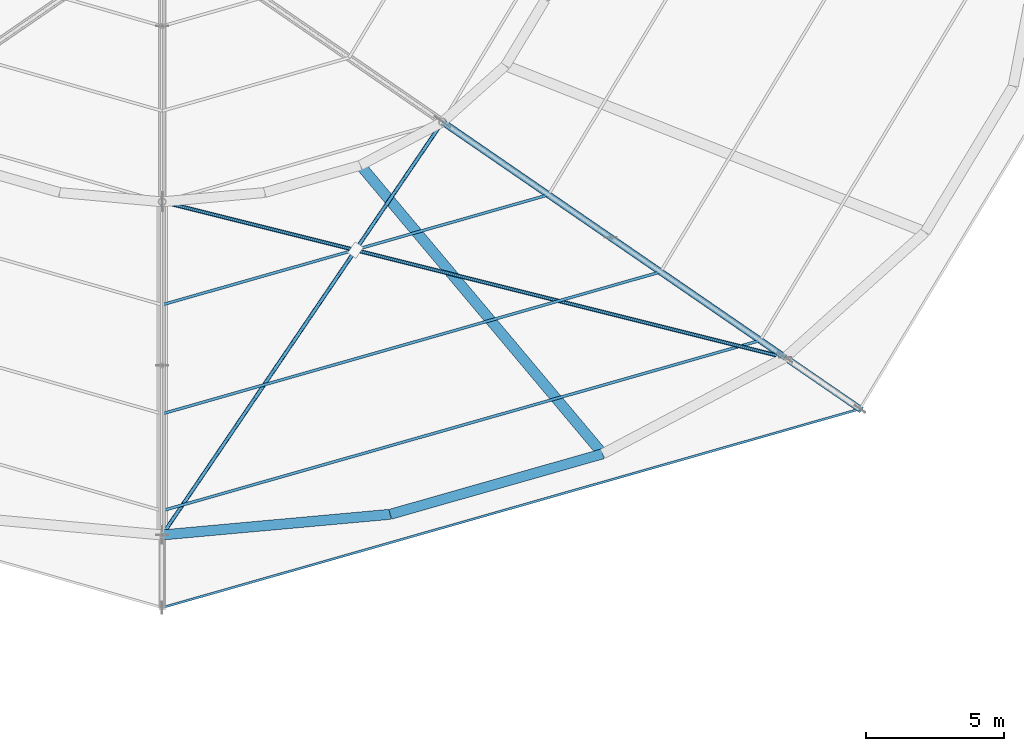
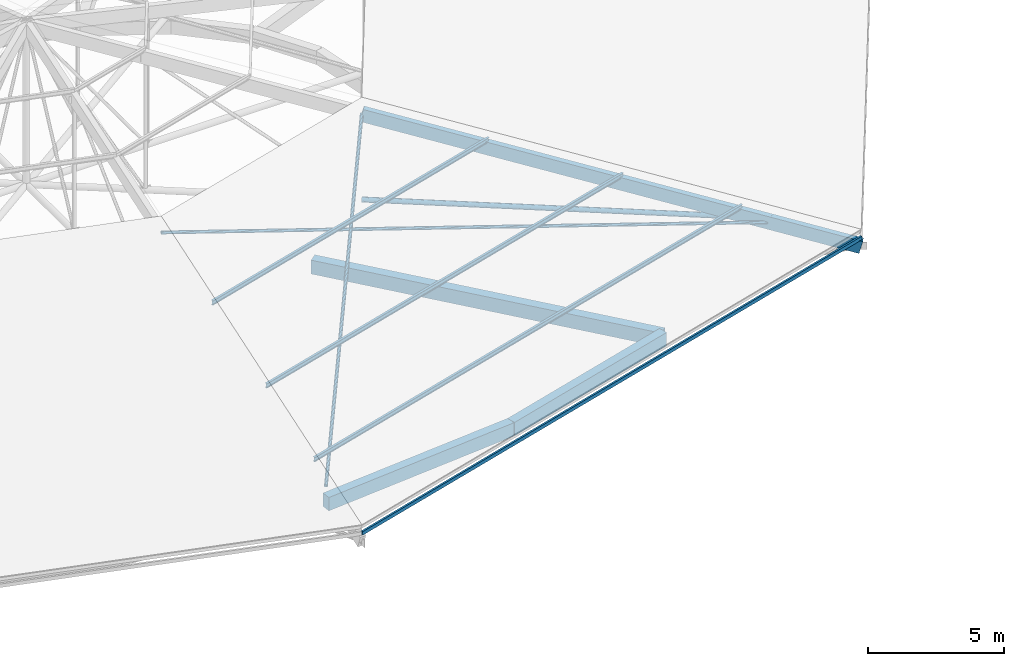
# One storey, part 26 of 66: 9 members, 3 beams.
"""IFC4 building model written with IfcOpenShell, lengths in metres."""

from ifc_helpers import new_model, si_unit, direction, frame, origin, origin_2d, place, context, subcontext, project, spatial, rectangle, hollow_rectangle, hollow_circle, i_section, extrude, material, material_profile, profile_set, type_object, element, save


model = new_model("IFC4")

# Units and contexts
model_context = context("Model", 3, precision=1e-05, world=origin(), true_north=direction((0.0, 1.0)))
body_context = subcontext(model_context, "Body", "Model", "MODEL_VIEW")
ifc_project = project(units=[si_unit("LENGTHUNIT", "METRE"), si_unit("AREAUNIT", "SQUARE_METRE"), si_unit("VOLUMEUNIT", "CUBIC_METRE"), si_unit("PLANEANGLEUNIT", "RADIAN"), si_unit("MASSUNIT", "GRAM", prefix="KILO")], contexts=[model_context])

# Site, building, storey
site_placement = place(None, origin())
site = spatial("IfcSite", under=ifc_project, at=site_placement, CompositionType="ELEMENT")
building_placement = place(site_placement, origin())
building = spatial("IfcBuilding", under=site, at=building_placement, Name="Zornivar Specialist Clinic", CompositionType="ELEMENT")
storey_placement = place(building_placement, frame((0.0, 0.0, 16.0)))
storey = spatial("IfcBuildingStorey", under=building, at=storey_placement, Name="L04", CompositionType="ELEMENT", Elevation=16.0)

# Beams
ifc_material_1 = material(Name="Concrete C30/37", Category="concrete")
ifc_material_profile_1 = material_profile(ifc_material_1, rectangle(XDim=0.3798828125, YDim=0.6201171875, at=origin_2d()), Name="RC 380x620")
ifc_profile_set_1 = profile_set([ifc_material_profile_1], Name="Concrete C30/37")
beam_type_1 = type_object("IfcBeamType", Name="BM-RC-CANT-380x620", PredefinedType="BEAM", material=ifc_profile_set_1)
beam_1_placement = place(storey_placement, frame((100.800048828125, 49.02587890625, -0.550048828125), z_axis=(0.643101702183, -0.765780778454, 0.0), x_axis=(0.765780778454, 0.643101702183, 0.0)))
element("IfcBeam", 1, at=beam_1_placement, inside=storey, type_object=beam_type_1, Name="bm:V1:L04:radcant:20", PredefinedType="BEAM", context=body_context, shape_type="SweptSolid", body=[
    extrude(rectangle(XDim=0.3798828125, YDim=0.6201171875, at=origin_2d()), origin(), (0.0, 0.0, 1.0), 13.683837890625),
])
ifc_material_2 = material(Name="Concrete C30/37", Category="concrete")
ifc_material_profile_2 = material_profile(ifc_material_2, rectangle(XDim=0.3701171875, YDim=0.60009765625, at=origin_2d()), Name="RC 370x600")
ifc_profile_set_2 = profile_set([ifc_material_profile_2], Name="Concrete C30/37")
beam_type_2 = type_object("IfcBeamType", Name="BM-RC-SPANDREL-370x600", PredefinedType="SPANDREL", material=ifc_profile_set_2)
beam_2_placement = place(storey_placement, frame((93.60009765625, 35.60009765625, -0.5400390625), z_axis=(0.99592467027, 0.09018897465, 0.0), x_axis=(-0.09018897465, 0.99592467027, 0.0)))
element("IfcBeam", 2, at=beam_2_placement, inside=storey, type_object=beam_type_2, Name="bm:V1:L04:outring:18", PredefinedType="SPANDREL", context=body_context, shape_type="SweptSolid", body=[
    extrude(rectangle(XDim=0.3701171875, YDim=0.60009765625, at=origin_2d()), origin(), (0.0, 0.0, 1.0), 8.31591796875),
])
beam_3_placement = place(storey_placement, frame((101.882080078125, 36.35009765625, -0.5400390625), z_axis=(0.961790992591, 0.273784744957, 0.0), x_axis=(-0.273784744957, 0.961790992591, 0.0)))
element("IfcBeam", 3, at=beam_3_placement, inside=storey, type_object=beam_type_2, Name="bm:V1:L04:outring:19", PredefinedType="SPANDREL", context=body_context, shape_type="SweptSolid", body=[
    extrude(rectangle(XDim=0.3701171875, YDim=0.60009765625, at=origin_2d()), origin(), (0.0, 0.0, 1.0), 8.024658203125),
])

# Members
ifc_material_3 = material(Name="Steel S355J2", Category="steel")
ifc_material_profile_3 = material_profile(ifc_material_3, hollow_circle(Radius=0.109619140625, WallThickness=0.012451171875, at=origin_2d()), Name="CHS 219.1x12.5")
ifc_profile_set_3 = profile_set([ifc_material_profile_3], Name="Steel S355J2")
member_type_1 = type_object("IfcMemberType", Name="MEM-CHORD-CHS219", PredefinedType="CHORD", material=ifc_profile_set_3)
member_1_placement = place(storey_placement, frame((116.22705078125, 42.0439453125, 0.360107421875), z_axis=(-0.824036735766, 0.566536369625, 0.0), x_axis=(-0.566536369625, -0.824036735766, 0.0)))
element("IfcMember", 4, at=member_1_placement, inside=storey, type_object=member_type_1, Name="mem:V1:L04:rtie:7", PredefinedType="CHORD", context=body_context, shape_type="SweptSolid", body=[
    extrude(hollow_circle(Radius=0.109619140625, WallThickness=0.012451171875, at=origin_2d()), origin(), (0.0, 0.0, 1.0), 15.1025390625),
])
ifc_material_4 = material(Name="Steel S355J2", Category="steel")
ifc_material_profile_4 = material_profile(ifc_material_4, hollow_rectangle(XDim=0.080078125, YDim=0.159912109375, WallThickness=0.008056640625, at=origin_2d()), Name="RHS 160x80x8")
ifc_profile_set_4 = profile_set([ifc_material_profile_4], Name="Steel S355J2")
member_type_2 = type_object("IfcMemberType", Name="MEM-EAVE-RHS160", PredefinedType="USERDEFINED", material=ifc_profile_set_4)
member_2_placement = place(storey_placement, frame((93.60009765625, 32.9599609375, -0.3359375), z_axis=(0.961758903664, 0.273897446543, 0.0), x_axis=(-0.273897446543, 0.961758903664, 0.0)))
element("IfcMember", 5, at=member_2_placement, inside=storey, type_object=member_type_2, Name="mem:V1:L04:purl:6:00", ObjectType="EAVE RAFTER", PredefinedType="USERDEFINED", context=body_context, shape_type="SweptSolid", body=[
    extrude(hollow_rectangle(XDim=0.080078125, YDim=0.159912109375, WallThickness=0.008056640625, at=origin_2d()), origin(), (0.0, 0.0, 1.0), 26.349365234375),
])
ifc_material_5 = material(Name="Steel S355J2", Category="steel")
ifc_material_profile_5 = material_profile(ifc_material_5, i_section(OverallWidth=0.10009765625, OverallDepth=0.199951171875, WebThickness=0.005615234375, FlangeThickness=0.008544921875, FilletRadius=0.011962890625, at=origin_2d()), Name="IPE 200")
ifc_profile_set_5 = profile_set([ifc_material_profile_5], Name="Steel S355J2")
member_type_3 = type_object("IfcMemberType", Name="MEM-PURLIN-IPE200", PredefinedType="PURLIN", material=ifc_profile_set_5)
member_3_placement = place(storey_placement, frame((93.60009765625, 36.47998046875, 0.8349609375), z_axis=(0.961760177976, 0.273892971908, 0.0), x_axis=(-0.273892971908, 0.961760177976, 0.0)))
element("IfcMember", 6, at=member_3_placement, inside=storey, type_object=member_type_3, Name="mem:V1:L04:purl:6:01", PredefinedType="PURLIN", context=body_context, shape_type="SweptSolid", body=[
    extrude(i_section(OverallWidth=0.10009765625, OverallDepth=0.199951171875, WebThickness=0.005615234375, FlangeThickness=0.008544921875, FilletRadius=0.011962890625, at=origin_2d()), origin(), (0.0, 0.0, 1.0), 22.585693359375),
])
member_4_placement = place(storey_placement, frame((93.60009765625, 40.0, 2.006103515625), z_axis=(0.961760988869, 0.273890124485, 0.0), x_axis=(-0.273890124485, 0.961760988869, 0.0)))
element("IfcMember", 7, at=member_4_placement, inside=storey, type_object=member_type_3, Name="mem:V1:L04:purl:6:02", PredefinedType="PURLIN", context=body_context, shape_type="SweptSolid", body=[
    extrude(i_section(OverallWidth=0.10009765625, OverallDepth=0.199951171875, WebThickness=0.005615234375, FlangeThickness=0.008544921875, FilletRadius=0.011962890625, at=origin_2d()), origin(), (0.0, 0.0, 1.0), 18.821533203125),
])
member_5_placement = place(storey_placement, frame((93.60009765625, 43.9599609375, 3.323974609375), z_axis=(0.961761069144, 0.2738898426, 0.0), x_axis=(-0.2738898426, 0.961761069144, 0.0)))
element("IfcMember", 8, at=member_5_placement, inside=storey, type_object=member_type_3, Name="mem:V1:L04:purl:6:03", PredefinedType="PURLIN", context=body_context, shape_type="SweptSolid", body=[
    extrude(i_section(OverallWidth=0.10009765625, OverallDepth=0.199951171875, WebThickness=0.005615234375, FlangeThickness=0.008544921875, FilletRadius=0.011962890625, at=origin_2d()), origin(), (0.0, 0.0, 1.0), 14.586669921875),
])
ifc_material_6 = material(Name="Glulam GL28h", Category="wood")
ifc_material_profile_6 = material_profile(ifc_material_6, rectangle(XDim=0.239990234375, YDim=0.56005859375, at=origin_2d()), Name="GL28h 240x560")
ifc_profile_set_6 = profile_set([ifc_material_profile_6], Name="Glulam GL28h")
member_type_4 = type_object("IfcMemberType", Name="MEM-RAFTER-GL560", PredefinedType="RAFTER", material=ifc_profile_set_6)
member_6_placement = place(storey_placement, frame((118.94189453125, 40.177001953125, -0.700927734375), z_axis=(-0.796212145423, 0.547430310404, 0.257616526511), x_axis=(-0.566553040236, -0.824025274248, 0.0)))
element("IfcMember", 9, at=member_6_placement, inside=storey, type_object=member_type_4, Name="mem:V1:L04:raf1:7", PredefinedType="RAFTER", context=body_context, shape_type="SweptSolid", body=[
    extrude(rectangle(XDim=0.239990234375, YDim=0.56005859375, at=origin_2d()), origin(), (0.0, 0.0, 1.0), 19.0400390625),
])
ifc_material_7 = material(Name="Steel S355J2", Category="steel")
ifc_material_profile_7 = material_profile(ifc_material_7, hollow_circle(Radius=0.06982421875, WallThickness=0.008056640625, at=origin_2d()), Name="CHS 139.7x8")
ifc_profile_set_7 = profile_set([ifc_material_profile_7], Name="Steel S355J2")
member_type_5 = type_object("IfcMemberType", Name="MEM-WIND-CHS140", PredefinedType="BRACE", material=ifc_profile_set_7)
member_7_placement = place(storey_placement, frame((93.60009765625, 35.60009765625, 0.177001953125), z_axis=(0.548263004021, 0.80770360789, 0.216846858922), x_axis=(-0.827390848599, 0.561626551771, 0.0)))
element("IfcMember", 10, at=member_7_placement, inside=storey, type_object=member_type_5, Name="mem:V1:L04:wbraceA:6", PredefinedType="BRACE", context=body_context, shape_type="SweptSolid", body=[
    extrude(hollow_circle(Radius=0.06982421875, WallThickness=0.008056640625, at=origin_2d()), origin(), (0.0, 0.0, 1.0), 18.5712890625),
])
member_8_placement = place(storey_placement, frame((116.22705078125, 42.0439453125, 0.177001953125), z_axis=(-0.956000794499, 0.238992720287, 0.170132185573), x_axis=(-0.242528482464, -0.97014428576, 0.0)))
element("IfcMember", 11, at=member_8_placement, inside=storey, type_object=member_type_5, Name="mem:V1:L04:wbraceB1:6", PredefinedType="BRACE", context=body_context, shape_type="SweptSolid", body=[
    extrude(hollow_circle(Radius=0.06982421875, WallThickness=0.008056640625, at=origin_2d()), origin(), (0.0, 0.0, 1.0), 16.3232421875),
])
member_9_placement = place(storey_placement, frame((100.6220703125, 45.945068359375, 2.9541015625), z_axis=(-0.956010251762, 0.238919466298, 0.170181923685), x_axis=(-0.242456257876, -0.970162338486, 0.0)))
element("IfcMember", 12, at=member_9_placement, inside=storey, type_object=member_type_5, Name="mem:V1:L04:wbraceB2:6", PredefinedType="BRACE", context=body_context, shape_type="SweptSolid", body=[
    extrude(hollow_circle(Radius=0.06982421875, WallThickness=0.008056640625, at=origin_2d()), origin(), (0.0, 0.0, 1.0), 7.344970703125),
])

save(model, "model.ifc")
